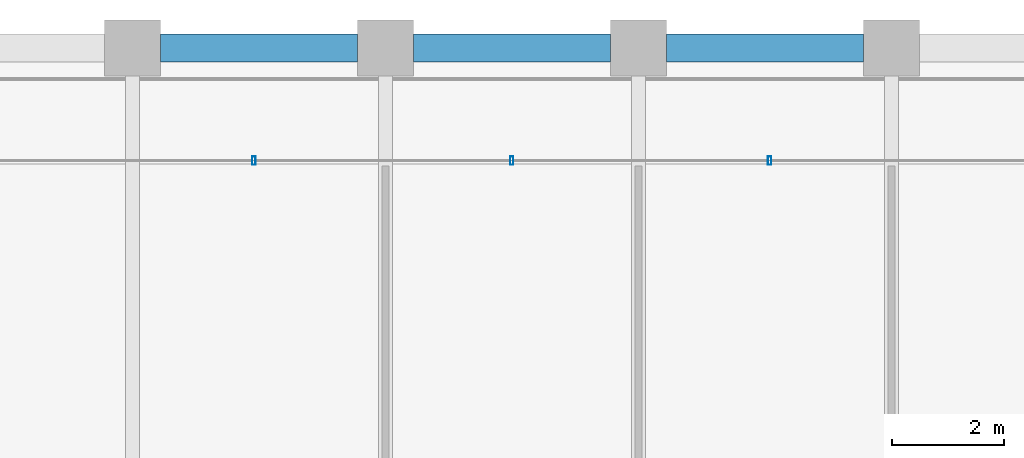
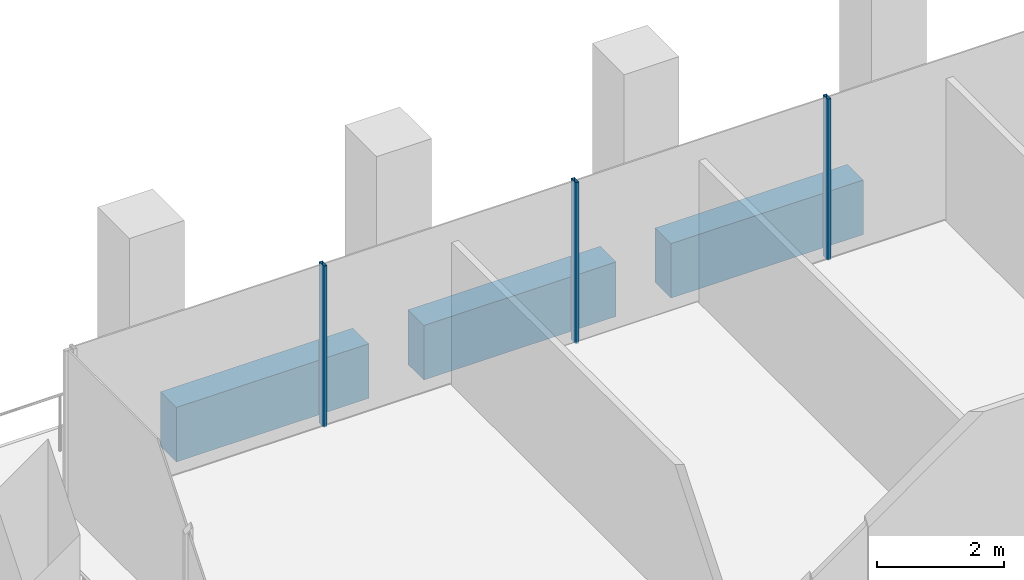
# One storey, part 23 of 47: 3 beams, 3 members, 1 element without a shape of its own.
"""IFC4 building model written with IfcOpenShell, lengths in metres."""

from ifc_helpers import new_model, si_unit, direction, frame, origin, origin_2d, place, context, subcontext, project, spatial, rectangle, hollow_rectangle, extrude, material, material_profile, profile_set, type_object, element, aggregate, save


model = new_model("IFC4")

# Units and contexts
model_context = context("Model", 3, precision=1e-05, world=origin(), true_north=direction((0.0, 1.0)))
body_context = subcontext(model_context, "Body", "Model", "MODEL_VIEW")
ifc_project = project(units=[si_unit("LENGTHUNIT", "METRE"), si_unit("AREAUNIT", "SQUARE_METRE"), si_unit("VOLUMEUNIT", "CUBIC_METRE"), si_unit("PLANEANGLEUNIT", "RADIAN"), si_unit("MASSUNIT", "GRAM", prefix="KILO")], contexts=[model_context])

# Site, building, storey
site_placement = place(None, origin())
site = spatial("IfcSite", under=ifc_project, at=site_placement, CompositionType="ELEMENT")
building_placement = place(site_placement, origin())
building = spatial("IfcBuilding", under=site, at=building_placement, Name="Altepetl Exchange Towers", CompositionType="ELEMENT")
storey_placement = place(building_placement, frame((0.0, 0.0, 99.199951171875)))
storey = spatial("IfcBuildingStorey", under=building, at=storey_placement, Name="L24", CompositionType="ELEMENT", Elevation=99.199951171875)

# Curtain wall, members
ifc_material_1 = material(Name="Aluminium 6063-T6 glazing", Category="aluminium")
curtain_wall_type = type_object("IfcCurtainWallType", Name="Loggia glazing system", PredefinedType="NOTDEFINED", material=ifc_material_1)
curtain_wall_placement = place(storey_placement, origin())
curtain_wall = element("IfcCurtainWall", 1, at=curtain_wall_placement, inside=storey, type_object=curtain_wall_type, Name="CW1 run", PredefinedType="NOTDEFINED")
ifc_material_2 = material(Name="Aluminium 6063-T6", Category="aluminium")
ifc_material_profile_1 = material_profile(ifc_material_2, hollow_rectangle(XDim=0.06005859375, YDim=0.14990234375, WallThickness=0.0029296875, at=origin_2d()), Name="Mullion 60x150 aluminium")
ifc_profile_set_1 = profile_set([ifc_material_profile_1], Name="Aluminium 6063-T6")
member_type = type_object("IfcMemberType", Name="Mullion 60x150 aluminium", PredefinedType="MULLION", material=ifc_profile_set_1)
member_1_placement = place(storey_placement, frame((56.330078125, 70.0, 0.0), z_axis=(0.0, 0.0, 1.0), x_axis=(-1.0, 0.0, 0.0)))
member_1 = element("IfcMember", 2, at=member_1_placement, type_object=member_type, Name="MU1 mullion", PredefinedType="MULLION", context=body_context, shape_type="SweptSolid", body=[
    extrude(hollow_rectangle(XDim=0.06005859375, YDim=0.14990234375, WallThickness=0.0029296875, at=origin_2d()), origin(), (0.0, 0.0, 1.0), 3.10009765625),
])
member_2_placement = place(storey_placement, frame((51.7451171875, 70.0, 0.0), z_axis=(0.0, 0.0, 1.0), x_axis=(-1.0, 0.0, 0.0)))
member_2 = element("IfcMember", 3, at=member_2_placement, type_object=member_type, Name="MU1 mullion", PredefinedType="MULLION", context=body_context, shape_type="SweptSolid", body=[
    extrude(hollow_rectangle(XDim=0.06005859375, YDim=0.14990234375, WallThickness=0.0029296875, at=origin_2d()), origin(), (0.0, 0.0, 1.0), 3.10009765625),
])
member_3_placement = place(storey_placement, frame((47.159912109375, 70.0, 0.0), z_axis=(0.0, 0.0, 1.0), x_axis=(-1.0, 0.0, 0.0)))
member_3 = element("IfcMember", 4, at=member_3_placement, type_object=member_type, Name="MU1 mullion", PredefinedType="MULLION", context=body_context, shape_type="SweptSolid", body=[
    extrude(hollow_rectangle(XDim=0.06005859375, YDim=0.14990234375, WallThickness=0.0029296875, at=origin_2d()), origin(), (0.0, 0.0, 1.0), 3.10009765625),
])
aggregate(curtain_wall, [member_1, member_2, member_3])

# Beams
ifc_material_3 = material(Name="Concrete C50/60 precast with cantera rosa facing", Category="concrete")
ifc_material_profile_2 = material_profile(ifc_material_3, rectangle(XDim=0.5, YDim=1.050048828125, at=origin_2d()), Name="500 x 1050")
ifc_profile_set_2 = profile_set([ifc_material_profile_2], Name="Concrete C50/60 precast with cantera rosa facing")
beam_type = type_object("IfcBeamType", Name="Spandrel beam 500x1050 cantera rosa", PredefinedType="SPANDREL", material=ifc_profile_set_2)
for number, where, z_axis, x_axis, name in (
    (5, (58.0, 72.0, -0.675048828125), (-1.0, 0.0, 0.0), (0.0, -1.0, 0.0), "sp:A:L24:026"),
    (6, (53.5, 72.0, -0.675048828125), (-1.0, 0.0, 0.0), (0.0, -1.0, 0.0), "sp:A:L24:027"),
    (7, (49.0, 72.0, -0.675048828125), (-1.0, 0.0, 0.0), (0.0, -1.0, 0.0), "sp:A:L24:028"),
):
    element("IfcBeam", number, at=place(storey_placement, frame(where, z_axis=z_axis, x_axis=x_axis)), inside=storey, type_object=beam_type, Name=name, PredefinedType="SPANDREL", context=body_context, shape_type="SweptSolid", body=[
        extrude(rectangle(XDim=0.5, YDim=1.050048828125, at=origin_2d()), origin(), (0.0, 0.0, 1.0), 3.5),
    ])

save(model, "model.ifc")
